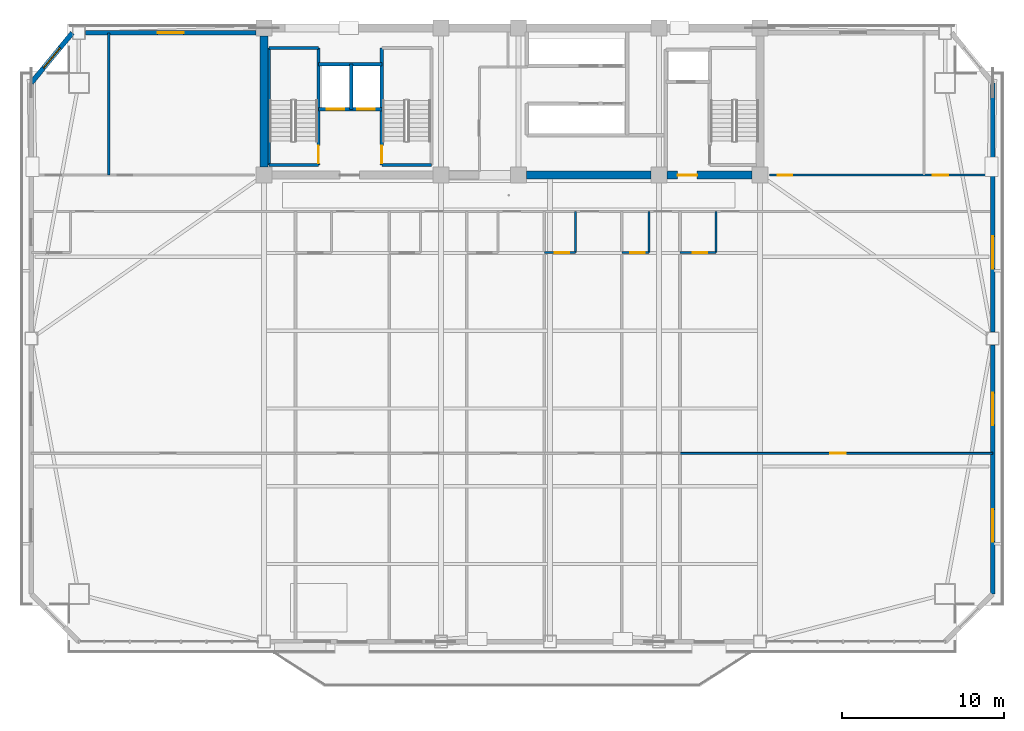
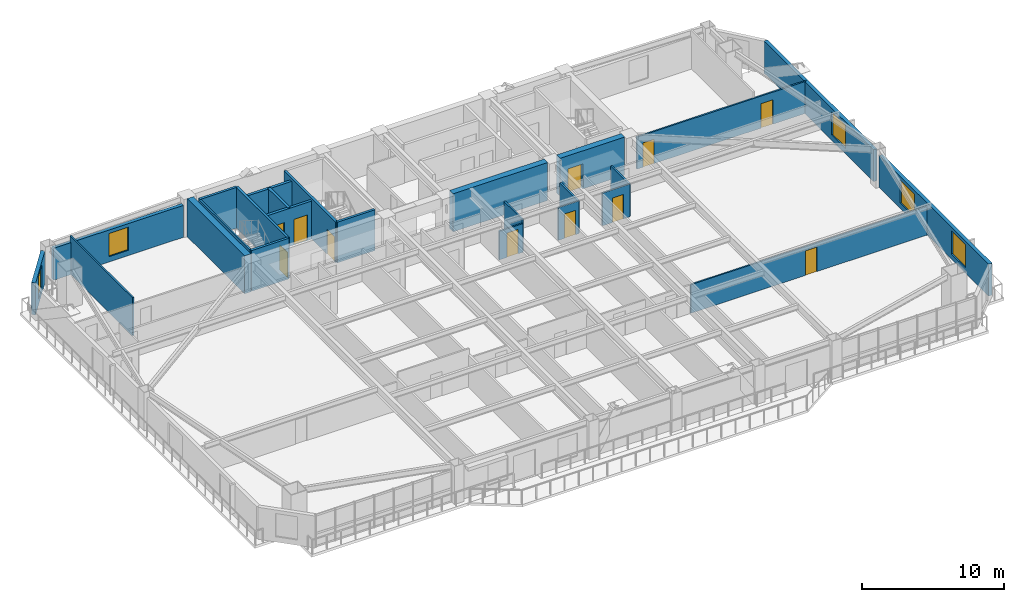
# One storey, part 9 of 15: 25 walls, 11 doors, 5 windows, 16 openings.
"""IFC4 building model written with IfcOpenShell, lengths in metres."""

from ifc_helpers import new_model, si_unit, direction, frame, frame_2d, origin, place, context, subcontext, project, spatial, rectangle, extrude, source, transform, mapped, material, layer, layer_set, type_object, element, fill, save


model = new_model("IFC4")

# Units and contexts
model_context = context("Model", 3, precision=1e-05, world=origin(), true_north=direction((0.0, 1.0)))
body_context = subcontext(model_context, "Body", "Model", "MODEL_VIEW")
ifc_project = project(units=[si_unit("LENGTHUNIT", "METRE"), si_unit("AREAUNIT", "SQUARE_METRE"), si_unit("VOLUMEUNIT", "CUBIC_METRE"), si_unit("PLANEANGLEUNIT", "RADIAN"), si_unit("MASSUNIT", "GRAM", prefix="KILO")], contexts=[model_context])

# Site, building, storey
site_placement = place(None, origin())
site = spatial("IfcSite", under=ifc_project, at=site_placement, CompositionType="ELEMENT")
building_placement = place(site_placement, origin())
building = spatial("IfcBuilding", under=site, at=building_placement, Name="Giltprow Tower", CompositionType="ELEMENT")
storey_placement = place(building_placement, frame((0.0, 0.0, 149.199951171875)))
storey = spatial("IfcBuildingStorey", under=building, at=storey_placement, Name="L36", CompositionType="ELEMENT", Elevation=149.199951171875)

# Wall, opening, window
ifc_material_1 = material(Name="Precast concrete C40", Category="concrete")
ifc_layer_1 = layer(ifc_material_1, 0.300048828125, Name="Precast concrete C40")
ifc_layer_set_1 = layer_set([ifc_layer_1], Name="Precast concrete C40")
wall_type_1 = type_object("IfcWallType", Name="EW-NOTCH-CHAMFER-300", PredefinedType="SOLIDWALL", material=ifc_layer_set_1)
wall_1_placement = place(storey_placement, frame((7.988037109375, 46.25, 0.0), z_axis=(0.0, 0.0, 1.0), x_axis=(-0.634975058906, -0.772532636571, 0.0)))
wall_1 = element("IfcWall", 1, at=wall_1_placement, inside=storey, type_object=wall_type_1, Name="L36 Corner Notch Wall NW", PredefinedType="SOLIDWALL", context=body_context, shape_type="SweptSolid", body=[
    extrude(rectangle(XDim=3.998779296875, YDim=0.300048828125, at=frame_2d((1.99951171875, 0.0))), origin(), (0.0, 0.0, 1.0), 2.75),
])
opening_1_placement = place(wall_1_placement, frame((1.198974609375, 0.0, 0.449951171875)))
opening_1 = element("IfcOpeningElement", 2, at=opening_1_placement, cuts=wall_1, Name="Opening WN17", PredefinedType="OPENING", context=body_context, shape_type="SweptSolid", body=[
    extrude(rectangle(XDim=1.60009765625, YDim=2.0, at=frame_2d((0.800048828125, 1.0))), frame((0.0, 0.159912109375, 0.0), z_axis=(0.0, -1.0, 0.0), x_axis=(1.0, 0.0, 0.0)), (0.0, 0.0, 1.0), 0.320068359375),
])
ifc_material_2 = material(Name="Insulated glass", Category="glass")
window_type_1 = type_object("IfcWindowType", Name="WN-COR-1600x2000", PartitioningType="SINGLE_PANEL", PredefinedType="WINDOW", material=ifc_material_2)
shared_shape_1 = source(origin(), body_context, "Body", "SweptSolid", [
    extrude(rectangle(XDim=1.60009765625, YDim=2.0, at=frame_2d((0.800048828125, 1.0))), frame((0.0, 0.030029296875, 0.0), z_axis=(0.0, -1.0, 0.0), x_axis=(1.0, 0.0, 0.0)), (0.0, 0.0, 1.0), 0.06005859375),
])
window_1_placement = place(opening_1_placement, origin())
window_1 = element("IfcWindow", 3, at=window_1_placement, inside=storey, type_object=window_type_1, Name="L36 Corner Notch Window NW", OverallHeight=2.0, OverallWidth=1.60009765625, PartitioningType="SINGLE_PANEL", PredefinedType="WINDOW", context=body_context, shape_type="MappedRepresentation", body=[
    mapped(shared_shape_1, transform((0.0, 0.0, 0.0), x_axis=(1.0, 0.0, 0.0), y_axis=(0.0, 1.0, 0.0), z_axis=(0.0, 0.0, 1.0), scale=1.0)),
])
fill(opening_1, window_1)

# Wall, openings, windows
ifc_layer_2 = layer(ifc_material_1, 0.280029296875, Name="Precast concrete C40")
ifc_layer_set_2 = layer_set([ifc_layer_2], Name="Precast concrete C40")
wall_type_2 = type_object("IfcWallType", Name="EW-TOW-BRONZE-280", PredefinedType="SOLIDWALL", material=ifc_layer_set_2)
wall_2_placement = place(storey_placement, frame((64.950927734375, 11.510986328125, 0.0), z_axis=(0.0, 0.0, 1.0), x_axis=(0.0, 1.0, 0.0)))
wall_2 = element("IfcWall", 4, at=wall_2_placement, inside=storey, type_object=wall_type_2, Name="L36 E Wing Masonry Wall 1", PredefinedType="SOLIDWALL", context=body_context, shape_type="SweptSolid", body=[
    extrude(rectangle(XDim=15.425048828125, YDim=0.280029296875, at=frame_2d((7.71240234375, 0.0))), origin(), (0.0, 0.0, 1.0), 2.75),
])
opening_2_placement = place(wall_2_placement, frame((3.2509765625, 0.0, 0.449951171875)))
opening_2 = element("IfcOpeningElement", 5, at=opening_2_placement, cuts=wall_2, Name="Opening WN21", PredefinedType="OPENING", context=body_context, shape_type="SweptSolid", body=[
    extrude(rectangle(XDim=2.0, YDim=2.0, at=frame_2d((1.0, 1.0))), frame((0.0, 0.14990234375, 0.0), z_axis=(0.0, -1.0, 0.0), x_axis=(1.0, 0.0, 0.0)), (0.0, 0.0, 1.0), 0.300048828125),
])
opening_3_placement = place(wall_2_placement, frame((10.462890625, 0.0, 0.449951171875)))
opening_3 = element("IfcOpeningElement", 6, at=opening_3_placement, cuts=wall_2, Name="Opening WN21", PredefinedType="OPENING", context=body_context, shape_type="SweptSolid", body=[
    extrude(rectangle(XDim=2.0, YDim=2.0, at=frame_2d((1.0, 1.0))), frame((0.0, 0.14990234375, 0.0), z_axis=(0.0, -1.0, 0.0), x_axis=(1.0, 0.0, 0.0)), (0.0, 0.0, 1.0), 0.300048828125),
])
window_type_2 = type_object("IfcWindowType", Name="WN-HTL-2000x2000", PartitioningType="DOUBLE_PANEL_VERTICAL", PredefinedType="WINDOW", material=ifc_material_2)
shared_shape_2 = source(origin(), body_context, "Body", "SweptSolid", [
    extrude(rectangle(XDim=2.0, YDim=2.0, at=frame_2d((1.0, 1.0))), frame((0.0, 0.030029296875, 0.0), z_axis=(0.0, -1.0, 0.0), x_axis=(1.0, 0.0, 0.0)), (0.0, 0.0, 1.0), 0.06005859375),
])
window_2_placement = place(opening_2_placement, origin())
window_2 = element("IfcWindow", 7, at=window_2_placement, inside=storey, type_object=window_type_2, Name="L36 E Wing Window 1-1A", OverallHeight=2.0, OverallWidth=2.0, PartitioningType="SINGLE_PANEL", PredefinedType="WINDOW", context=body_context, shape_type="MappedRepresentation", body=[
    mapped(shared_shape_2, transform((0.0, 0.0, 0.0), x_axis=(1.0, 0.0, 0.0), y_axis=(0.0, 1.0, 0.0), z_axis=(0.0, 0.0, 1.0), scale=1.0)),
])
fill(opening_2, window_2)
window_3_placement = place(opening_3_placement, origin())
window_3 = element("IfcWindow", 8, at=window_3_placement, inside=storey, type_object=window_type_2, Name="L36 E Wing Window 1-1B", OverallHeight=2.0, OverallWidth=2.0, PartitioningType="SINGLE_PANEL", PredefinedType="WINDOW", context=body_context, shape_type="MappedRepresentation", body=[
    mapped(shared_shape_2, transform((0.0, 0.0, 0.0), x_axis=(1.0, 0.0, 0.0), y_axis=(0.0, 1.0, 0.0), z_axis=(0.0, 0.0, 1.0), scale=1.0)),
])
fill(opening_3, window_3)

# Wall, opening, window
wall_3_placement = place(storey_placement, frame((64.950927734375, 27.736083984375, 0.0), z_axis=(0.0, 0.0, 1.0), x_axis=(0.0, 1.0, 0.0)))
wall_3 = element("IfcWall", 9, at=wall_3_placement, inside=storey, type_object=wall_type_2, Name="L36 E Wing Masonry Wall 2", PredefinedType="SOLIDWALL", context=body_context, shape_type="SweptSolid", body=[
    extrude(rectangle(XDim=15.4248046875, YDim=0.280029296875, at=frame_2d((7.71240234375, 0.0))), origin(), (0.0, 0.0, 1.0), 2.75),
])
opening_4_placement = place(wall_3_placement, frame((3.9189453125, 0.0, 0.449951171875)))
opening_4 = element("IfcOpeningElement", 10, at=opening_4_placement, cuts=wall_3, Name="Opening WN21", PredefinedType="OPENING", context=body_context, shape_type="SweptSolid", body=[
    extrude(rectangle(XDim=2.0, YDim=2.0, at=frame_2d((1.0, 1.0))), frame((0.0, 0.14990234375, 0.0), z_axis=(0.0, -1.0, 0.0), x_axis=(1.0, 0.0, 0.0)), (0.0, 0.0, 1.0), 0.300048828125),
])
window_4_placement = place(opening_4_placement, origin())
window_4 = element("IfcWindow", 11, at=window_4_placement, inside=storey, type_object=window_type_2, Name="L36 E Wing Window 2-1", OverallHeight=2.0, OverallWidth=2.0, PartitioningType="SINGLE_PANEL", PredefinedType="WINDOW", context=body_context, shape_type="MappedRepresentation", body=[
    mapped(shared_shape_2, transform((0.0, 0.0, 0.0), x_axis=(1.0, 0.0, 0.0), y_axis=(0.0, 1.0, 0.0), z_axis=(0.0, 0.0, 1.0), scale=1.0)),
])
fill(opening_4, window_4)

wall_4_placement = place(storey_placement, frame((8.7880859375, 46.25, 0.0), z_axis=(0.0, 0.0, 1.0), x_axis=(1.0, 0.0, 0.0)))
wall_4 = element("IfcWall", 12, at=wall_4_placement, inside=storey, type_object=wall_type_2, Name="L36 North-West Wing Wall", PredefinedType="SOLIDWALL", context=body_context, shape_type="SweptSolid", body=[
    extrude(rectangle(XDim=10.56201171875, YDim=0.280029296875, at=frame_2d((5.281005859375, 0.0))), origin(), (0.0, 0.0, 1.0), 2.75),
])
opening_5_placement = place(wall_4_placement, frame((4.48095703125, 0.0, 0.449951171875)))
opening_5 = element("IfcOpeningElement", 13, at=opening_5_placement, cuts=wall_4, Name="Opening WN17", PredefinedType="OPENING", context=body_context, shape_type="SweptSolid", body=[
    extrude(rectangle(XDim=1.60009765625, YDim=2.0, at=frame_2d((0.800048828125, 1.0))), frame((0.0, 0.14990234375, 0.0), z_axis=(0.0, -1.0, 0.0), x_axis=(1.0, 0.0, 0.0)), (0.0, 0.0, 1.0), 0.300048828125),
])
window_5_placement = place(opening_5_placement, origin())
window_5 = element("IfcWindow", 14, at=window_5_placement, inside=storey, type_object=window_type_1, Name="L36 North-West Window", OverallHeight=2.0, OverallWidth=1.60009765625, PartitioningType="SINGLE_PANEL", PredefinedType="WINDOW", context=body_context, shape_type="MappedRepresentation", body=[
    mapped(shared_shape_1, transform((0.0, 0.0, 0.0), x_axis=(1.0, 0.0, 0.0), y_axis=(0.0, 1.0, 0.0), z_axis=(0.0, 0.0, 1.0), scale=1.0)),
])
fill(opening_5, window_5)

# Wall, opening, door
ifc_material_3 = material(Name="Gypsum stud partition", Category="gypsum")
ifc_layer_3 = layer(ifc_material_3, 0.1201171875, Name="Gypsum stud partition")
ifc_layer_set_3 = layer_set([ifc_layer_3], Name="Gypsum stud partition")
wall_type_3 = type_object("IfcWallType", Name="IW-ROOM-120", PredefinedType="PARTITIONING", material=ifc_layer_set_3)
wall_5_placement = place(storey_placement, frame((45.60009765625, 20.23291015625, 0.0), z_axis=(0.0, 0.0, 1.0), x_axis=(1.0, 0.0, 0.0)))
wall_5 = element("IfcWall", 15, at=wall_5_placement, inside=storey, type_object=wall_type_3, Name="L36 Suite Parlour Divider 7", PredefinedType="PARTITIONING", context=body_context, shape_type="SweptSolid", body=[
    extrude(rectangle(XDim=19.350830078125, YDim=0.1201171875, at=frame_2d((9.67529296875, 0.0))), origin(), (0.0, 0.0, 1.0), 2.455078125),
])
opening_6_placement = place(wall_5_placement, frame((9.301025390625, 0.0, 0.0)))
opening_6 = element("IfcOpeningElement", 16, at=opening_6_placement, cuts=wall_5, Name="Opening ID11", PredefinedType="OPENING", context=body_context, shape_type="SweptSolid", body=[
    extrude(rectangle(XDim=0.949951171875, YDim=2.10009765625, at=frame_2d((0.47509765625, 1.050048828125))), frame((0.0, 0.070068359375, 0.0), z_axis=(0.0, -1.0, 0.0), x_axis=(1.0, 0.0, 0.0)), (0.0, 0.0, 1.0), 0.14013671875),
])
ifc_material_4 = material(Name="Engineered timber", Category="wood")
door_type_1 = type_object("IfcDoorType", Name="DR-ROOM-950", OperationType="SINGLE_SWING_RIGHT", PredefinedType="DOOR", material=ifc_material_4)
shared_shape_3 = source(origin(), body_context, "Body", "SweptSolid", [
    extrude(rectangle(XDim=0.949951171875, YDim=2.10009765625, at=frame_2d((0.47509765625, 1.050048828125))), frame((0.0, 0.02490234375, 0.0), z_axis=(0.0, -1.0, 0.0), x_axis=(1.0, 0.0, 0.0)), (0.0, 0.0, 1.0), 0.050048828125),
])
door_1_placement = place(opening_6_placement, origin())
door_1 = element("IfcDoor", 17, at=door_1_placement, inside=storey, type_object=door_type_1, Name="L36 Harbour Parlour 7 Door", OperationType="SINGLE_SWING_RIGHT", OverallHeight=2.10009765625, OverallWidth=0.949951171875, PredefinedType="DOOR", context=body_context, shape_type="MappedRepresentation", body=[
    mapped(shared_shape_3, transform((0.0, 0.0, 0.0), x_axis=(1.0, 0.0, 0.0), y_axis=(0.0, 1.0, 0.0), z_axis=(0.0, 0.0, 1.0), scale=1.0)),
])
fill(opening_6, door_1)

# Wall, openings, doors
ifc_material_5 = material(Name="Concrete C40", Category="concrete")
ifc_layer_4 = layer(ifc_material_5, 0.219970703125, Name="Concrete C40")
ifc_layer_set_4 = layer_set([ifc_layer_4], Name="Concrete C40")
wall_type_4 = type_object("IfcWallType", Name="IW-SHAFT-220", PredefinedType="SOLIDWALL", material=ifc_layer_set_4)
wall_6_placement = place(storey_placement, frame((23.219970703125, 41.52001953125, 0.0), z_axis=(0.0, 0.0, 1.0), x_axis=(1.0, 0.0, 0.0)))
wall_6 = element("IfcWall", 18, at=wall_6_placement, inside=storey, type_object=wall_type_4, Name="L36 FFL1 and Service Lift Front Wall", PredefinedType="SOLIDWALL", context=body_context, shape_type="SweptSolid", body=[
    extrude(rectangle(XDim=3.919921875, YDim=0.219970703125, at=frame_2d((1.9599609375, 0.0))), origin(), (0.0, 0.0, 1.0), 3.27001953125),
])
opening_7_placement = place(wall_6_placement, frame((0.5, 0.0, 0.0)))
opening_7 = element("IfcOpeningElement", 19, at=opening_7_placement, cuts=wall_6, Name="Opening LD-11", PredefinedType="OPENING", context=body_context, shape_type="SweptSolid", body=[
    extrude(rectangle(XDim=1.10009765625, YDim=2.199951171875, at=frame_2d((0.550048828125, 1.10009765625))), frame((0.0, 0.119873046875, 0.0), z_axis=(0.0, -1.0, 0.0), x_axis=(1.0, 0.0, 0.0)), (0.0, 0.0, 1.0), 0.239990234375),
])
opening_8_placement = place(wall_6_placement, frame((2.39990234375, 0.0, 0.0)))
opening_8 = element("IfcOpeningElement", 20, at=opening_8_placement, cuts=wall_6, Name="Opening LD-11", PredefinedType="OPENING", context=body_context, shape_type="SweptSolid", body=[
    extrude(rectangle(XDim=1.10009765625, YDim=2.199951171875, at=frame_2d((0.550048828125, 1.10009765625))), frame((0.0, 0.119873046875, 0.0), z_axis=(0.0, -1.0, 0.0), x_axis=(1.0, 0.0, 0.0)), (0.0, 0.0, 1.0), 0.239990234375),
])
ifc_material_6 = material(Name="Stainless steel", Category="steel")
door_type_2 = type_object("IfcDoorType", Name="DR-LIFT-LD1100", OperationType="SLIDING_TO_LEFT", PredefinedType="DOOR", material=ifc_material_6)
shared_shape_4 = source(origin(), body_context, "Body", "SweptSolid", [
    extrude(rectangle(XDim=1.10009765625, YDim=2.199951171875, at=frame_2d((0.550048828125, 1.10009765625))), frame((0.0, 0.02490234375, 0.0), z_axis=(0.0, -1.0, 0.0), x_axis=(1.0, 0.0, 0.0)), (0.0, 0.0, 1.0), 0.050048828125),
])
door_2_placement = place(opening_7_placement, origin())
door_2 = element("IfcDoor", 21, at=door_2_placement, inside=storey, type_object=door_type_2, Name="L36 FFL1 Landing Door", OperationType="SLIDING_TO_LEFT", OverallHeight=2.199951171875, OverallWidth=1.10009765625, PredefinedType="DOOR", context=body_context, shape_type="MappedRepresentation", body=[
    mapped(shared_shape_4, transform((0.0, 0.0, 0.0), x_axis=(1.0, 0.0, 0.0), y_axis=(0.0, 1.0, 0.0), z_axis=(0.0, 0.0, 1.0), scale=1.0)),
])
fill(opening_7, door_2)
door_3_placement = place(opening_8_placement, origin())
door_3 = element("IfcDoor", 22, at=door_3_placement, inside=storey, type_object=door_type_2, Name="L36 SVL1 Landing Door", OperationType="SLIDING_TO_LEFT", OverallHeight=2.199951171875, OverallWidth=1.10009765625, PredefinedType="DOOR", context=body_context, shape_type="MappedRepresentation", body=[
    mapped(shared_shape_4, transform((0.0, 0.0, 0.0), x_axis=(1.0, 0.0, 0.0), y_axis=(0.0, 1.0, 0.0), z_axis=(0.0, 0.0, 1.0), scale=1.0)),
])
fill(opening_8, door_3)

# Walls
wall_7_placement = place(storey_placement, frame((25.260009765625, 41.52001953125, 0.0), z_axis=(0.0, 0.0, 1.0), x_axis=(0.0, 1.0, 0.0)))
element("IfcWall", 23, at=wall_7_placement, inside=storey, type_object=wall_type_4, Name="L36 FFL1-SVL1 Shaft Divider", PredefinedType="SOLIDWALL", context=body_context, shape_type="SweptSolid", body=[
    extrude(rectangle(XDim=2.800048828125, YDim=0.219970703125, at=frame_2d((1.39990234375, 0.0))), origin(), (0.0, 0.0, 1.0), 3.27001953125),
])
wall_8_placement = place(storey_placement, frame((23.219970703125, 44.320068359375, 0.0), z_axis=(0.0, 0.0, 1.0), x_axis=(1.0, 0.0, 0.0)))
element("IfcWall", 24, at=wall_8_placement, inside=storey, type_object=wall_type_4, Name="L36 FFL1-SVL1 Back Shaft Wall", PredefinedType="SOLIDWALL", context=body_context, shape_type="SweptSolid", body=[
    extrude(rectangle(XDim=3.919921875, YDim=0.219970703125, at=frame_2d((1.9599609375, 0.0))), origin(), (0.0, 0.0, 1.0), 3.27001953125),
])
ifc_material_7 = material(Name="Concrete C45", Category="concrete")
ifc_layer_5 = layer(ifc_material_7, 0.139892578125, Name="Concrete C45")
ifc_layer_set_5 = layer_set([ifc_layer_5], Name="Concrete C45")
wall_type_5 = type_object("IfcWallType", Name="IW-STAIR-140", PredefinedType="SOLIDWALL", material=ifc_layer_set_5)
wall_9_placement = place(storey_placement, frame((20.169921875, 38.070068359375, 0.0), z_axis=(0.0, 0.0, 1.0), x_axis=(0.0, 1.0, 0.0)))
element("IfcWall", 25, at=wall_9_placement, inside=storey, type_object=wall_type_5, Name="L36 Stair ST-1 West Bearing Wall", PredefinedType="SOLIDWALL", context=body_context, shape_type="SweptSolid", body=[
    extrude(rectangle(XDim=7.25, YDim=0.139892578125, at=frame_2d((3.625, 0.0))), origin(), (0.0, 0.0, 1.0), 3.5),
])

# Wall, opening, door
ifc_layer_6 = layer(ifc_material_5, 0.199951171875, Name="Concrete C40")
ifc_layer_set_6 = layer_set([ifc_layer_6], Name="Concrete C40")
wall_type_6 = type_object("IfcWallType", Name="IW-STAIR-200", PredefinedType="SOLIDWALL", material=ifc_layer_set_6)
wall_10_placement = place(storey_placement, frame((23.219970703125, 38.070068359375, 0.0), z_axis=(0.0, 0.0, 1.0), x_axis=(0.0, 1.0, 0.0)))
wall_10 = element("IfcWall", 26, at=wall_10_placement, inside=storey, type_object=wall_type_6, Name="L36 Stair ST-1 East Bearing Wall", PredefinedType="SOLIDWALL", context=body_context, shape_type="SweptSolid", body=[
    extrude(rectangle(XDim=7.25, YDim=0.199951171875, at=frame_2d((3.625, 0.0))), origin(), (0.0, 0.0, 1.0), 3.5),
])
opening_9_placement = place(wall_10_placement, frame((0.110107421875, 0.0, 0.0)))
opening_9 = element("IfcOpeningElement", 27, at=opening_9_placement, cuts=wall_10, Name="Opening ID33", PredefinedType="OPENING", context=body_context, shape_type="SweptSolid", body=[
    extrude(rectangle(XDim=1.10009765625, YDim=2.14990234375, at=frame_2d((0.550048828125, 1.074951171875))), frame((0.0, 0.10986328125, 0.0), z_axis=(0.0, -1.0, 0.0), x_axis=(1.0, 0.0, 0.0)), (0.0, 0.0, 1.0), 0.219970703125),
])
ifc_material_8 = material(Name="Steel fire leaf", Category="steel")
door_type_3 = type_object("IfcDoorType", Name="DR-STAIR-1100", OperationType="SINGLE_SWING_LEFT", PredefinedType="DOOR", material=ifc_material_8)
shared_shape_5 = source(origin(), body_context, "Body", "SweptSolid", [
    extrude(rectangle(XDim=1.10009765625, YDim=2.14990234375, at=frame_2d((0.550048828125, 1.074951171875))), frame((0.0, 0.02490234375, 0.0), z_axis=(0.0, -1.0, 0.0), x_axis=(1.0, 0.0, 0.0)), (0.0, 0.0, 1.0), 0.050048828125),
])
door_4_placement = place(opening_9_placement, origin())
door_4 = element("IfcDoor", 28, at=door_4_placement, inside=storey, type_object=door_type_3, Name="L36 Stair ST-1 Fire Door", OperationType="SINGLE_SWING_RIGHT", OverallHeight=2.14990234375, OverallWidth=1.10009765625, PredefinedType="DOOR", context=body_context, shape_type="MappedRepresentation", body=[
    mapped(shared_shape_5, transform((0.0, 0.0, 0.0), x_axis=(1.0, 0.0, 0.0), y_axis=(0.0, 1.0, 0.0), z_axis=(0.0, 0.0, 1.0), scale=1.0)),
])
fill(opening_9, door_4)

# Walls
for number, where, z_axis, x_axis, name in (
    (29, (20.169921875, 45.320068359375, 0.0), (0.0, 0.0, 1.0), (1.0, 0.0, 0.0), "L36 Stair ST-1 North Bearing Wall"),
    (30, (20.169921875, 38.070068359375, 0.0), (0.0, 0.0, 1.0), (1.0, 0.0, 0.0), "L36 Stair ST-1 South Bearing Wall"),
):
    element("IfcWall", number, at=place(storey_placement, frame(where, z_axis=z_axis, x_axis=x_axis)), inside=storey, type_object=wall_type_6, Name=name, PredefinedType="SOLIDWALL", context=body_context, shape_type="SweptSolid", body=[
        extrude(rectangle(XDim=3.050048828125, YDim=0.199951171875, at=frame_2d((1.52490234375, 0.0))), origin(), (0.0, 0.0, 1.0), 3.5),
    ])

# Wall, opening, door
wall_11_placement = place(storey_placement, frame((27.139892578125, 38.070068359375, 0.0), z_axis=(0.0, 0.0, 1.0), x_axis=(0.0, 1.0, 0.0)))
wall_11 = element("IfcWall", 31, at=wall_11_placement, inside=storey, type_object=wall_type_6, Name="L36 Stair ST-2 West Bearing Wall", PredefinedType="SOLIDWALL", context=body_context, shape_type="SweptSolid", body=[
    extrude(rectangle(XDim=7.25, YDim=0.199951171875, at=frame_2d((3.625, 0.0))), origin(), (0.0, 0.0, 1.0), 3.5),
])
opening_10_placement = place(wall_11_placement, frame((0.110107421875, 0.0, 0.0)))
opening_10 = element("IfcOpeningElement", 32, at=opening_10_placement, cuts=wall_11, Name="Opening ID33", PredefinedType="OPENING", context=body_context, shape_type="SweptSolid", body=[
    extrude(rectangle(XDim=1.10009765625, YDim=2.14990234375, at=frame_2d((0.550048828125, 1.074951171875))), frame((0.0, 0.10986328125, 0.0), z_axis=(0.0, -1.0, 0.0), x_axis=(1.0, 0.0, 0.0)), (0.0, 0.0, 1.0), 0.219970703125),
])
door_5_placement = place(opening_10_placement, origin())
door_5 = element("IfcDoor", 33, at=door_5_placement, inside=storey, type_object=door_type_3, Name="L36 Stair ST-2 Fire Door", OperationType="SINGLE_SWING_LEFT", OverallHeight=2.14990234375, OverallWidth=1.10009765625, PredefinedType="DOOR", context=body_context, shape_type="MappedRepresentation", body=[
    mapped(shared_shape_5, transform((0.0, 0.0, 0.0), x_axis=(1.0, 0.0, 0.0), y_axis=(0.0, 1.0, 0.0), z_axis=(0.0, 0.0, 1.0), scale=1.0)),
])
fill(opening_10, door_5)

# Wall
wall_12_placement = place(storey_placement, frame((27.139892578125, 38.070068359375, 0.0), z_axis=(0.0, 0.0, 1.0), x_axis=(1.0, 0.0, 0.0)))
element("IfcWall", 34, at=wall_12_placement, inside=storey, type_object=wall_type_6, Name="L36 Stair ST-2 South Bearing Wall", PredefinedType="SOLIDWALL", context=body_context, shape_type="SweptSolid", body=[
    extrude(rectangle(XDim=3.080078125, YDim=0.199951171875, at=frame_2d((1.5400390625, 0.0))), origin(), (0.0, 0.0, 1.0), 3.5),
])

# Wall, opening, door
ifc_material_9 = material(Name="Concrete C30", Category="concrete")
ifc_layer_7 = layer(ifc_material_9, 0.1298828125, Name="Concrete C30")
ifc_layer_set_7 = layer_set([ifc_layer_7], Name="Concrete C30")
wall_type_7 = type_object("IfcWallType", Name="IW-WET-130", PredefinedType="PARTITIONING", material=ifc_layer_set_7)
wall_13_placement = place(storey_placement, frame((37.199951171875, 32.64990234375, 0.0), z_axis=(0.0, 0.0, 1.0), x_axis=(1.0, 0.0, 0.0)))
wall_13 = element("IfcWall", 35, at=wall_13_placement, inside=storey, type_object=wall_type_7, Name="L36 En-Suite South Wall 5", PredefinedType="PARTITIONING", context=body_context, shape_type="SweptSolid", body=[
    extrude(rectangle(XDim=1.93603515625, YDim=0.1298828125, at=frame_2d((0.968017578125, 0.0))), origin(), (0.0, 0.0, 1.0), 2.455078125),
])
opening_11_placement = place(wall_13_placement, frame((0.637939453125, 0.0, 0.0)))
opening_11 = element("IfcOpeningElement", 36, at=opening_11_placement, cuts=wall_13, Name="Opening ID15", PredefinedType="OPENING", context=body_context, shape_type="SweptSolid", body=[
    extrude(rectangle(XDim=0.89990234375, YDim=2.10009765625, at=frame_2d((0.449951171875, 1.050048828125))), frame((0.0, 0.074951171875, 0.0), z_axis=(0.0, -1.0, 0.0), x_axis=(1.0, 0.0, 0.0)), (0.0, 0.0, 1.0), 0.14990234375),
])
door_type_4 = type_object("IfcDoorType", Name="DR-WC-900", OperationType="SINGLE_SWING_LEFT", PredefinedType="DOOR", material=ifc_material_4)
shared_shape_6 = source(origin(), body_context, "Body", "SweptSolid", [
    extrude(rectangle(XDim=0.89990234375, YDim=2.10009765625, at=frame_2d((0.449951171875, 1.050048828125))), frame((0.0, 0.02490234375, 0.0), z_axis=(0.0, -1.0, 0.0), x_axis=(1.0, 0.0, 0.0)), (0.0, 0.0, 1.0), 0.050048828125),
])
door_6_placement = place(opening_11_placement, origin())
door_6 = element("IfcDoor", 37, at=door_6_placement, inside=storey, type_object=door_type_4, Name="L36 En-Suite 5 Door", OperationType="SINGLE_SWING_LEFT", OverallHeight=2.10009765625, OverallWidth=0.89990234375, PredefinedType="DOOR", context=body_context, shape_type="MappedRepresentation", body=[
    mapped(shared_shape_6, transform((0.0, 0.0, 0.0), x_axis=(1.0, 0.0, 0.0), y_axis=(0.0, 1.0, 0.0), z_axis=(0.0, 0.0, 1.0), scale=1.0)),
])
fill(opening_11, door_6)

# Wall
wall_14_placement = place(storey_placement, frame((39.135986328125, 32.64990234375, 0.0), z_axis=(0.0, 0.0, 1.0), x_axis=(0.0, 1.0, 0.0)))
element("IfcWall", 38, at=wall_14_placement, inside=storey, type_object=wall_type_7, Name="L36 En-Suite East Wall 5", PredefinedType="PARTITIONING", context=body_context, shape_type="SweptSolid", body=[
    extrude(rectangle(XDim=2.550048828125, YDim=0.1298828125, at=frame_2d((1.27490234375, 0.0))), origin(), (0.0, 0.0, 1.0), 2.804931640625),
])

# Wall, opening, door
wall_15_placement = place(storey_placement, frame((42.0, 32.64990234375, 0.0), z_axis=(0.0, 0.0, 1.0), x_axis=(1.0, 0.0, 0.0)))
wall_15 = element("IfcWall", 39, at=wall_15_placement, inside=storey, type_object=wall_type_7, Name="L36 En-Suite South Wall 6", PredefinedType="PARTITIONING", context=body_context, shape_type="SweptSolid", body=[
    extrude(rectangle(XDim=1.679931640625, YDim=0.1298828125, at=frame_2d((0.83984375, 0.0))), origin(), (0.0, 0.0, 1.0), 2.804931640625),
])
opening_12_placement = place(wall_15_placement, frame((0.510009765625, 0.0, 0.0)))
opening_12 = element("IfcOpeningElement", 40, at=opening_12_placement, cuts=wall_15, Name="Opening ID15", PredefinedType="OPENING", context=body_context, shape_type="SweptSolid", body=[
    extrude(rectangle(XDim=0.89990234375, YDim=2.10009765625, at=frame_2d((0.449951171875, 1.050048828125))), frame((0.0, 0.074951171875, 0.0), z_axis=(0.0, -1.0, 0.0), x_axis=(1.0, 0.0, 0.0)), (0.0, 0.0, 1.0), 0.14990234375),
])
door_7_placement = place(opening_12_placement, origin())
door_7 = element("IfcDoor", 41, at=door_7_placement, inside=storey, type_object=door_type_4, Name="L36 En-Suite 6 Door", OperationType="SINGLE_SWING_RIGHT", OverallHeight=2.10009765625, OverallWidth=0.89990234375, PredefinedType="DOOR", context=body_context, shape_type="MappedRepresentation", body=[
    mapped(shared_shape_6, transform((0.0, 0.0, 0.0), x_axis=(1.0, 0.0, 0.0), y_axis=(0.0, 1.0, 0.0), z_axis=(0.0, 0.0, 1.0), scale=1.0)),
])
fill(opening_12, door_7)

# Wall
wall_16_placement = place(storey_placement, frame((43.679931640625, 32.64990234375, 0.0), z_axis=(0.0, 0.0, 1.0), x_axis=(0.0, 1.0, 0.0)))
element("IfcWall", 42, at=wall_16_placement, inside=storey, type_object=wall_type_7, Name="L36 En-Suite East Wall 6", PredefinedType="PARTITIONING", context=body_context, shape_type="SweptSolid", body=[
    extrude(rectangle(XDim=2.550048828125, YDim=0.1298828125, at=frame_2d((1.27490234375, 0.0))), origin(), (0.0, 0.0, 1.0), 2.804931640625),
])

# Wall, opening, door
wall_17_placement = place(storey_placement, frame((45.60009765625, 32.64990234375, 0.0), z_axis=(0.0, 0.0, 1.0), x_axis=(1.0, 0.0, 0.0)))
wall_17 = element("IfcWall", 43, at=wall_17_placement, inside=storey, type_object=wall_type_7, Name="L36 En-Suite South Wall 7", PredefinedType="PARTITIONING", context=body_context, shape_type="SweptSolid", body=[
    extrude(rectangle(XDim=2.22998046875, YDim=0.1298828125, at=frame_2d((1.114990234375, 0.0))), origin(), (0.0, 0.0, 1.0), 2.804931640625),
])
opening_13_placement = place(wall_17_placement, frame((0.784912109375, 0.0, 0.0)))
opening_13 = element("IfcOpeningElement", 44, at=opening_13_placement, cuts=wall_17, Name="Opening ID15", PredefinedType="OPENING", context=body_context, shape_type="SweptSolid", body=[
    extrude(rectangle(XDim=0.89990234375, YDim=2.10009765625, at=frame_2d((0.449951171875, 1.050048828125))), frame((0.0, 0.074951171875, 0.0), z_axis=(0.0, -1.0, 0.0), x_axis=(1.0, 0.0, 0.0)), (0.0, 0.0, 1.0), 0.14990234375),
])
door_8_placement = place(opening_13_placement, origin())
door_8 = element("IfcDoor", 45, at=door_8_placement, inside=storey, type_object=door_type_4, Name="L36 En-Suite 7 Door", OperationType="SINGLE_SWING_LEFT", OverallHeight=2.10009765625, OverallWidth=0.89990234375, PredefinedType="DOOR", context=body_context, shape_type="MappedRepresentation", body=[
    mapped(shared_shape_6, transform((0.0, 0.0, 0.0), x_axis=(1.0, 0.0, 0.0), y_axis=(0.0, 1.0, 0.0), z_axis=(0.0, 0.0, 1.0), scale=1.0)),
])
fill(opening_13, door_8)

# Walls
wall_18_placement = place(storey_placement, frame((47.830078125, 32.64990234375, 0.0), z_axis=(0.0, 0.0, 1.0), x_axis=(0.0, 1.0, 0.0)))
element("IfcWall", 46, at=wall_18_placement, inside=storey, type_object=wall_type_7, Name="L36 En-Suite East Wall 7", PredefinedType="PARTITIONING", context=body_context, shape_type="SweptSolid", body=[
    extrude(rectangle(XDim=2.550048828125, YDim=0.1298828125, at=frame_2d((1.27490234375, 0.0))), origin(), (0.0, 0.0, 1.0), 2.804931640625),
])
wall_19_placement = place(storey_placement, frame((10.239013671875, 37.449951171875, 0.0), z_axis=(0.0, 0.0, 1.0), x_axis=(0.0, 1.0, 0.0)))
element("IfcWall", 47, at=wall_19_placement, inside=storey, type_object=wall_type_7, Name="L36 NW Wing Divider", PredefinedType="PARTITIONING", context=body_context, shape_type="SweptSolid", body=[
    extrude(rectangle(XDim=8.800048828125, YDim=0.1298828125, at=frame_2d((4.39990234375, 0.0))), origin(), (0.0, 0.0, 1.0), 3.27001953125),
])

# Wall, openings, doors
wall_20_placement = place(storey_placement, frame((51.14990234375, 37.449951171875, 0.0), z_axis=(0.0, 0.0, 1.0), x_axis=(1.0, 0.0, 0.0)))
wall_20 = element("IfcWall", 48, at=wall_20_placement, inside=storey, type_object=wall_type_7, Name="L36 NE Wing South Wall", PredefinedType="PARTITIONING", context=body_context, shape_type="SweptSolid", body=[
    extrude(rectangle(XDim=13.801025390625, YDim=0.1298828125, at=frame_2d((6.900390625, 0.0))), origin(), (0.0, 0.0, 1.0), 2.755126953125),
])
opening_14_placement = place(wall_20_placement, frame((0.5, 0.0, 0.0)))
opening_14 = element("IfcOpeningElement", 49, at=opening_14_placement, cuts=wall_20, Name="Opening ID15", PredefinedType="OPENING", context=body_context, shape_type="SweptSolid", body=[
    extrude(rectangle(XDim=0.89990234375, YDim=2.10009765625, at=frame_2d((0.449951171875, 1.050048828125))), frame((0.0, 0.074951171875, 0.0), z_axis=(0.0, -1.0, 0.0), x_axis=(1.0, 0.0, 0.0)), (0.0, 0.0, 1.0), 0.14990234375),
])
opening_15_placement = place(wall_20_placement, frame((10.10107421875, 0.0, 0.0)))
opening_15 = element("IfcOpeningElement", 50, at=opening_15_placement, cuts=wall_20, Name="Opening ID11", PredefinedType="OPENING", context=body_context, shape_type="SweptSolid", body=[
    extrude(rectangle(XDim=0.949951171875, YDim=2.10009765625, at=frame_2d((0.47509765625, 1.050048828125))), frame((0.0, 0.074951171875, 0.0), z_axis=(0.0, -1.0, 0.0), x_axis=(1.0, 0.0, 0.0)), (0.0, 0.0, 1.0), 0.14990234375),
])
door_9_placement = place(opening_14_placement, origin())
door_9 = element("IfcDoor", 51, at=door_9_placement, inside=storey, type_object=door_type_4, Name="L36 East Wing Washroom Door", OperationType="SINGLE_SWING_RIGHT", OverallHeight=2.10009765625, OverallWidth=0.89990234375, PredefinedType="DOOR", context=body_context, shape_type="MappedRepresentation", body=[
    mapped(shared_shape_6, transform((0.0, 0.0, 0.0), x_axis=(1.0, 0.0, 0.0), y_axis=(0.0, 1.0, 0.0), z_axis=(0.0, 0.0, 1.0), scale=1.0)),
])
fill(opening_14, door_9)
door_10_placement = place(opening_15_placement, origin())
door_10 = element("IfcDoor", 52, at=door_10_placement, inside=storey, type_object=door_type_1, Name="L36 Hotel Floor Linen Store Door", OperationType="SINGLE_SWING_RIGHT", OverallHeight=2.10009765625, OverallWidth=0.949951171875, PredefinedType="DOOR", context=body_context, shape_type="MappedRepresentation", body=[
    mapped(shared_shape_3, transform((0.0, 0.0, 0.0), x_axis=(1.0, 0.0, 0.0), y_axis=(0.0, 1.0, 0.0), z_axis=(0.0, 0.0, 1.0), scale=1.0)),
])
fill(opening_15, door_10)

# Wall
ifc_material_10 = material(Name="Concrete C50", Category="concrete")
ifc_layer_8 = layer(ifc_material_10, 0.5, Name="Concrete C50")
ifc_layer_set_8 = layer_set([ifc_layer_8], Name="Concrete C50")
wall_type_8 = type_object("IfcWallType", Name="SW-INT-500-C50", PredefinedType="SHEAR", material=ifc_layer_set_8)
wall_21_placement = place(storey_placement, frame((36.10009765625, 37.449951171875, 0.0), z_axis=(0.0, 0.0, 1.0), x_axis=(1.0, 0.0, 0.0)))
element("IfcWall", 53, at=wall_21_placement, inside=storey, type_object=wall_type_8, Name="L36 South Rear Core Shear Wall Mid-East", PredefinedType="SHEAR", context=body_context, shape_type="SweptSolid", body=[
    extrude(rectangle(XDim=7.699951171875, YDim=0.5, at=frame_2d((3.85009765625, 0.0))), origin(), (0.0, 0.0, 1.0), 3.27001953125),
])

# Wall, opening, door
wall_22_placement = place(storey_placement, frame((44.800048828125, 37.449951171875, 0.0), z_axis=(0.0, 0.0, 1.0), x_axis=(1.0, 0.0, 0.0)))
wall_22 = element("IfcWall", 54, at=wall_22_placement, inside=storey, type_object=wall_type_8, Name="L36 South Rear Core Shear Wall East", PredefinedType="SHEAR", context=body_context, shape_type="SweptSolid", body=[
    extrude(rectangle(XDim=5.25, YDim=0.5, at=frame_2d((2.625, 0.0))), origin(), (0.0, 0.0, 1.0), 3.27001953125),
])
opening_16_placement = place(wall_22_placement, frame((0.64990234375, 0.0, 0.0)))
opening_16 = element("IfcOpeningElement", 55, at=opening_16_placement, cuts=wall_22, Name="Opening ID19", PredefinedType="OPENING", context=body_context, shape_type="SweptSolid", body=[
    extrude(rectangle(XDim=1.199951171875, YDim=2.14990234375, at=frame_2d((0.60009765625, 1.074951171875))), frame((0.0, 0.260009765625, 0.0), z_axis=(0.0, -1.0, 0.0), x_axis=(1.0, 0.0, 0.0)), (0.0, 0.0, 1.0), 0.52001953125),
])
door_type_5 = type_object("IfcDoorType", Name="DR-FFLOBBY-1200", OperationType="SINGLE_SWING_RIGHT", PredefinedType="DOOR", material=ifc_material_8)
shared_shape_7 = source(origin(), body_context, "Body", "SweptSolid", [
    extrude(rectangle(XDim=1.199951171875, YDim=2.14990234375, at=frame_2d((0.60009765625, 1.074951171875))), frame((0.0, 0.02490234375, 0.0), z_axis=(0.0, -1.0, 0.0), x_axis=(1.0, 0.0, 0.0)), (0.0, 0.0, 1.0), 0.050048828125),
])
door_11_placement = place(opening_16_placement, origin())
door_11 = element("IfcDoor", 56, at=door_11_placement, inside=storey, type_object=door_type_5, Name="L36 East Firefighting Lobby Entry Door", OperationType="SINGLE_SWING_RIGHT", OverallHeight=2.14990234375, OverallWidth=1.199951171875, PredefinedType="DOOR", context=body_context, shape_type="MappedRepresentation", body=[
    mapped(shared_shape_7, transform((0.0, 0.0, 0.0), x_axis=(1.0, 0.0, 0.0), y_axis=(0.0, 1.0, 0.0), z_axis=(0.0, 0.0, 1.0), scale=1.0)),
])
fill(opening_16, door_11)

# Wall
wall_23_placement = place(storey_placement, frame((19.85009765625, 37.949951171875, 0.0), z_axis=(0.0, 0.0, 1.0), x_axis=(0.0, 1.0, 0.0)))
element("IfcWall", 57, at=wall_23_placement, inside=storey, type_object=wall_type_8, Name="L36 W Rear Core Shear Wall", PredefinedType="SHEAR", context=body_context, shape_type="SweptSolid", body=[
    extrude(rectangle(XDim=8.10009765625, YDim=0.5, at=frame_2d((4.050048828125, 0.0))), origin(), (0.0, 0.0, 1.0), 3.27001953125),
])

save(model, "model.ifc")
